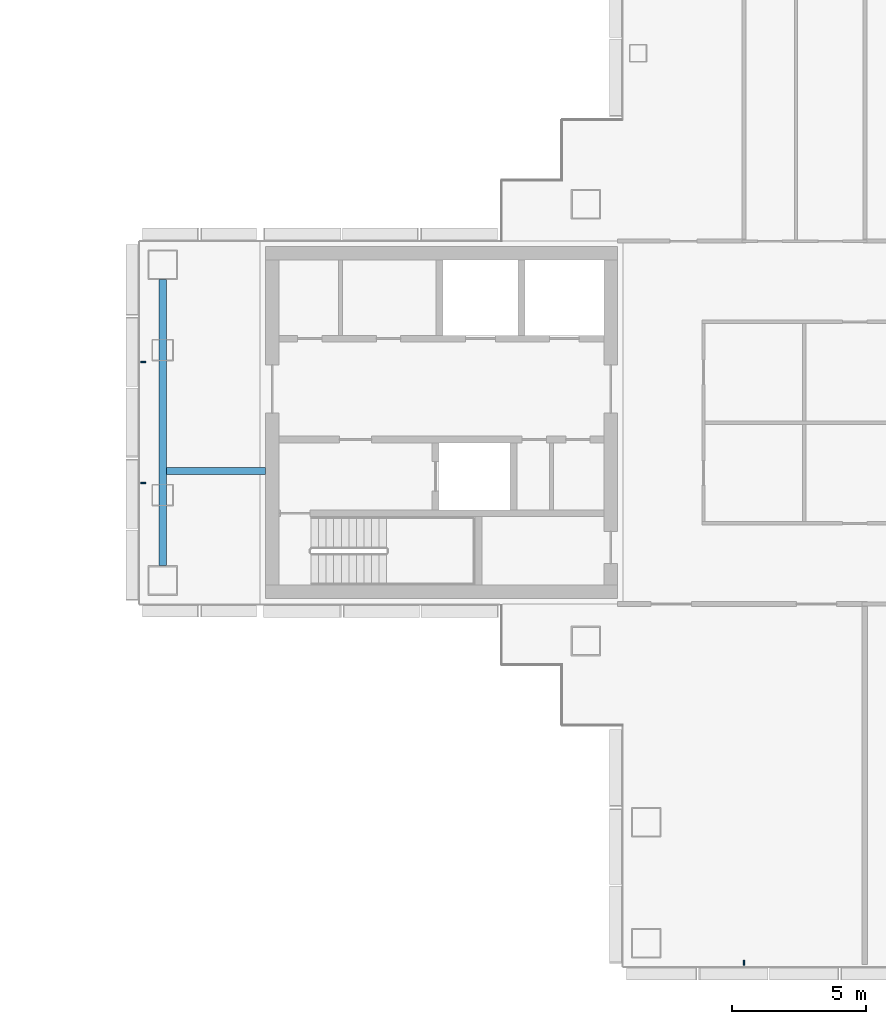
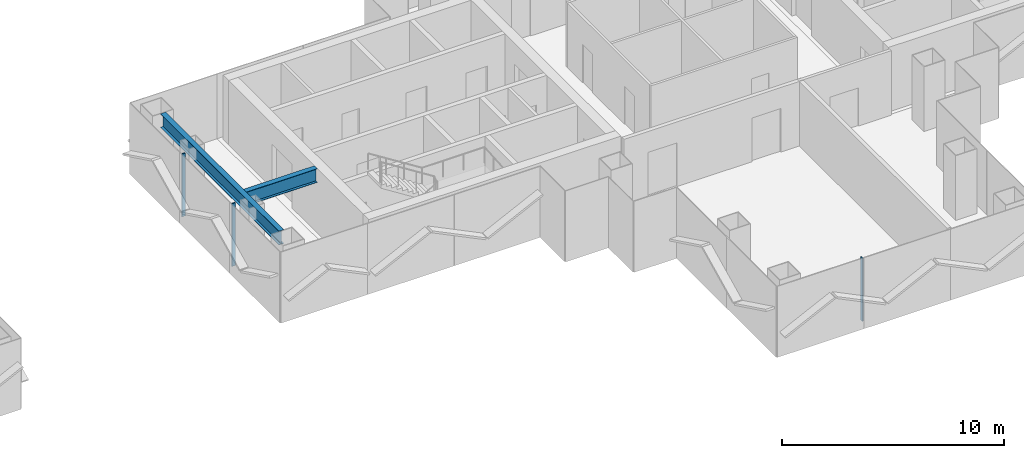
# One storey, part 5 of 16: 3 members, 2 beams, 2 elements without a shape of their own.
"""IFC4 building model written with IfcOpenShell, lengths in metres."""

from ifc_helpers import new_model, si_unit, direction, frame, origin, origin_2d, place, context, subcontext, project, spatial, rectangle, i_section, extrude, material, layer, layer_set, material_profile, profile_set, type_object, element, aggregate, save


model = new_model("IFC4")

# Units and contexts
model_context = context("Model", 3, precision=1e-05, world=origin(), true_north=direction((0.0, 1.0)))
body_context = subcontext(model_context, "Body", "Model", "MODEL_VIEW")
ifc_project = project(units=[si_unit("LENGTHUNIT", "METRE"), si_unit("AREAUNIT", "SQUARE_METRE"), si_unit("VOLUMEUNIT", "CUBIC_METRE"), si_unit("PLANEANGLEUNIT", "RADIAN"), si_unit("MASSUNIT", "GRAM", prefix="KILO")], contexts=[model_context])

# Site, building, storey
site_placement = place(None, origin())
site = spatial("IfcSite", under=ifc_project, at=site_placement, CompositionType="ELEMENT")
building_placement = place(site_placement, origin())
building = spatial("IfcBuilding", under=site, at=building_placement, Name="Shamsa Quay Exchange Towers", CompositionType="ELEMENT")
storey_placement = place(building_placement, frame((0.0, 0.0, 146.699951171875)))
storey = spatial("IfcBuildingStorey", under=building, at=storey_placement, Name="L34", CompositionType="ELEMENT", Elevation=146.699951171875)

# Curtain wall, members
ifc_material_1 = material(Name="Aluminium EN AW-6063 T6, black anodised", Category="aluminium")
ifc_layer = layer(ifc_material_1, 0.280029296875)
ifc_layer_set = layer_set([ifc_layer], Name="CW-1 UNITISED VISION GLASS")
curtain_wall_type = type_object("IfcCurtainWallType", Name="CW-1 UNITISED VISION GLASS", PredefinedType="NOTDEFINED", material=ifc_layer_set)
curtain_wall_1_placement = place(storey_placement, origin())
curtain_wall_1 = element("IfcCurtainWall", 1, at=curtain_wall_1_placement, inside=storey, type_object=curtain_wall_type, Name="CW1 T2-END-V+ L34", PredefinedType="NOTDEFINED")
ifc_material_profile_1 = material_profile(ifc_material_1, rectangle(XDim=0.179931640625, YDim=0.06005859375, at=origin_2d()), Name="MU60x180")
ifc_profile_set_1 = profile_set([ifc_material_profile_1], Name="Aluminium EN AW-6063 T6, black anodised")
member_type = type_object("IfcMemberType", Name="CW1 MULLION 60x180", PredefinedType="MULLION", material=ifc_profile_set_1)
member_1_placement = place(storey_placement, frame((9.14990234375, 2.25, 0.0)))
member_1 = element("IfcMember", 2, at=member_1_placement, type_object=member_type, Name="CW1 mullion", PredefinedType="MULLION", context=body_context, shape_type="SweptSolid", body=[
    extrude(rectangle(XDim=0.179931640625, YDim=0.06005859375, at=origin_2d()), origin(), (0.0, 0.0, 1.0), 3.449951171875),
])
member_2_placement = place(storey_placement, frame((9.14990234375, -2.25, 0.0)))
member_2 = element("IfcMember", 3, at=member_2_placement, type_object=member_type, Name="CW1 mullion", PredefinedType="MULLION", context=body_context, shape_type="SweptSolid", body=[
    extrude(rectangle(XDim=0.179931640625, YDim=0.06005859375, at=origin_2d()), origin(), (0.0, 0.0, 1.0), 3.449951171875),
])
aggregate(curtain_wall_1, [member_1, member_2])

# Curtain wall, member
curtain_wall_2_placement = place(storey_placement, origin())
curtain_wall_2 = element("IfcCurtainWall", 4, at=curtain_wall_2_placement, inside=storey, type_object=curtain_wall_type, Name="CW1 T2-END-U- L34", PredefinedType="NOTDEFINED")
member_3_placement = place(storey_placement, frame((31.5, -20.10009765625, 0.0), z_axis=(0.0, 0.0, 1.0), x_axis=(0.0, 1.0, 0.0)))
member_3 = element("IfcMember", 5, at=member_3_placement, type_object=member_type, Name="CW1 mullion", PredefinedType="MULLION", context=body_context, shape_type="SweptSolid", body=[
    extrude(rectangle(XDim=0.179931640625, YDim=0.06005859375, at=origin_2d()), origin(), (0.0, 0.0, 1.0), 3.449951171875),
])
aggregate(curtain_wall_2, [member_3])

# Beams
ifc_material_2 = material(Name="Steel S355", Category="steel")
ifc_material_profile_2 = material_profile(ifc_material_2, i_section(OverallWidth=0.26611328125, OverallDepth=0.7578125, WebThickness=0.013916015625, FlangeThickness=0.019287109375, at=origin_2d()), Name="W30x108")
ifc_profile_set_2 = profile_set([ifc_material_profile_2], Name="Steel S355")
beam_type = type_object("IfcBeamType", Name="End-zone beam W30x108", PredefinedType="BEAM", material=ifc_profile_set_2)
beam_1_placement = place(storey_placement, frame((9.875, -5.324951171875, 3.171142578125), z_axis=(0.0, 1.0, 0.0), x_axis=(-1.0, 0.0, 0.0)))
element("IfcBeam", 6, at=beam_1_placement, inside=storey, type_object=beam_type, Name="End beam T2 V+ end zone L34", PredefinedType="BEAM", context=body_context, shape_type="SweptSolid", body=[
    extrude(i_section(OverallWidth=0.26611328125, OverallDepth=0.7578125, WebThickness=0.013916015625, FlangeThickness=0.019287109375, at=origin_2d()), origin(), (0.0, 0.0, 1.0), 10.64990234375),
])
beam_2_placement = place(storey_placement, frame((13.699951171875, -1.800048828125, 3.171142578125), z_axis=(-1.0, 0.0, 0.0), x_axis=(0.0, -1.0, 0.0)))
element("IfcBeam", 7, at=beam_2_placement, inside=storey, type_object=beam_type, Name="Spine beam T2 V+ end zone L34", PredefinedType="BEAM", context=body_context, shape_type="SweptSolid", body=[
    extrude(i_section(OverallWidth=0.26611328125, OverallDepth=0.7578125, WebThickness=0.013916015625, FlangeThickness=0.019287109375, at=origin_2d()), origin(), (0.0, 0.0, 1.0), 3.69189453125),
])

save(model, "model.ifc")
